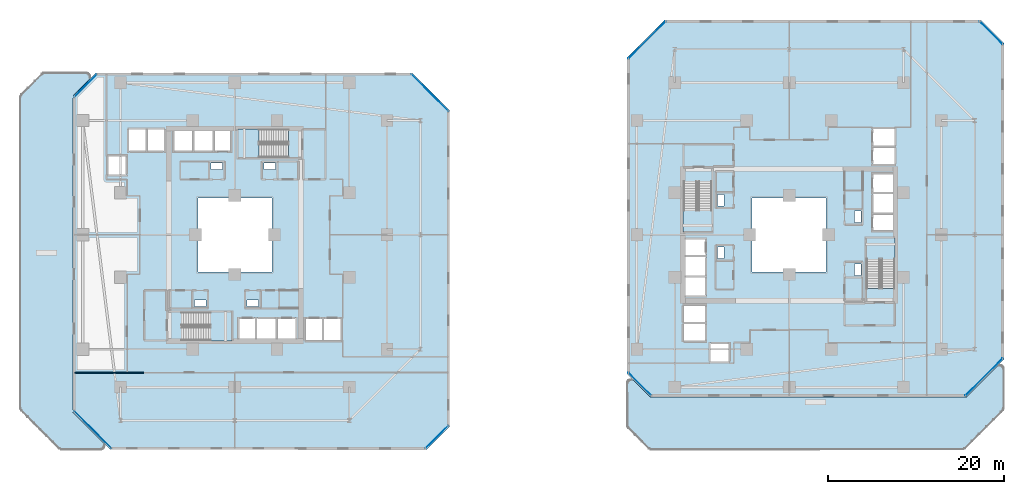
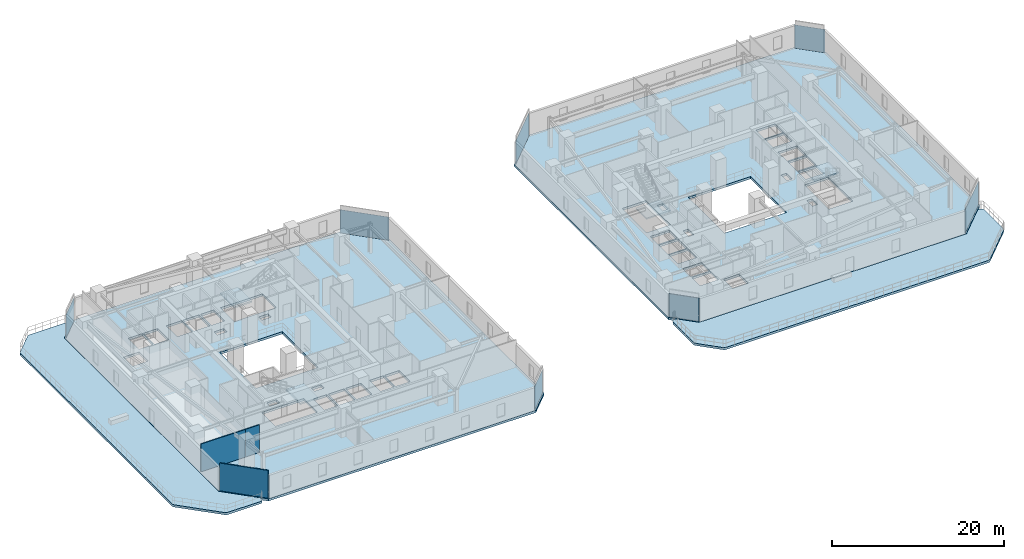
# One storey, part 18 of 33: 8 plates, 8 slabs, 3 walls, 12 elements without a shape of their own.
"""IFC4 building model written with IfcOpenShell, lengths in metres."""

from ifc_helpers import new_model, si_unit, direction, frame, frame_2d, origin, origin_2d, place, context, subcontext, project, spatial, polyline, rectangle, outline, extrude, material, layer, layer_set, type_object, element, aggregate, save


model = new_model("IFC4")

# Units and contexts
model_context = context("Model", 3, precision=1e-05, world=origin(), true_north=direction((0.0, 1.0)))
body_context = subcontext(model_context, "Body", "Model", "MODEL_VIEW")
ifc_project = project(units=[si_unit("LENGTHUNIT", "METRE"), si_unit("AREAUNIT", "SQUARE_METRE"), si_unit("VOLUMEUNIT", "CUBIC_METRE"), si_unit("PLANEANGLEUNIT", "RADIAN"), si_unit("MASSUNIT", "GRAM", prefix="KILO")], contexts=[model_context])

# Site, building, storey
site_placement = place(None, origin())
site = spatial("IfcSite", under=ifc_project, at=site_placement, CompositionType="ELEMENT")
building_placement = place(site_placement, origin())
building = spatial("IfcBuilding", under=site, at=building_placement, Name="Thornwick Lancets Civic Towers", CompositionType="ELEMENT")
storey_placement = place(building_placement, frame((0.0, 0.0, 49.5)))
storey = spatial("IfcBuildingStorey", under=building, at=storey_placement, Name="L12", CompositionType="ELEMENT", Elevation=49.5)

# Curtain wall, plate
ifc_material_1 = material(Name="Low-zone chamfered-corner unitised glass curtain wall", Category="glass")
curtain_wall_type = type_object("IfcCurtainWallType", Name="CW_SYS_03", PredefinedType="NOTDEFINED", material=ifc_material_1)
curtain_wall_1_placement = place(storey_placement, origin())
curtain_wall_1 = element("IfcCurtainWall", 1, at=curtain_wall_1_placement, inside=storey, type_object=curtain_wall_type, Name="L12 Curtain Wall CW-L12-A-E1", PredefinedType="NOTDEFINED")
ifc_material_2 = material(Name="Low-e double glazing clear glass", Category="glass")
ifc_layer_1 = layer(ifc_material_2, 0.035888671875, Name="Low-e double glazing clear glass")
ifc_layer_set_1 = layer_set([ifc_layer_1], Name="Low-e double glazing clear glass")
plate_type = type_object("IfcPlateType", Name="CW_PNL_GLASS", PredefinedType="CURTAIN_PANEL", material=ifc_layer_set_1)
plate_1_placement = place(storey_placement, frame((48.472900390625, 4.027099609375, 0.0), z_axis=(0.0, 0.0, 1.0), x_axis=(0.707106781187, 0.707106781187, 0.0)))
plate_1 = element("IfcPlate", 2, at=plate_1_placement, type_object=plate_type, Name="CW-L12-A-E1 Panel 0", PredefinedType="CURTAIN_PANEL", context=body_context, shape_type="SweptSolid", body=[
    extrude(rectangle(XDim=3.64990234375, YDim=0.035888671875, at=origin_2d()), origin(), (0.0, 0.0, 1.0), 3.300048828125),
])
aggregate(curtain_wall_1, [plate_1])

curtain_wall_2_placement = place(storey_placement, origin())
curtain_wall_2 = element("IfcCurtainWall", 3, at=curtain_wall_2_placement, inside=storey, type_object=curtain_wall_type, Name="L12 Curtain Wall CW-L12-A-E3", PredefinedType="NOTDEFINED")
plate_2_placement = place(storey_placement, frame((47.655517578125, 43.155517578125, 0.0), z_axis=(0.0, 0.0, 1.0), x_axis=(-0.707106781187, 0.707106781187, 0.0)))
plate_2 = element("IfcPlate", 4, at=plate_2_placement, type_object=plate_type, Name="CW-L12-A-E3 Panel 0", PredefinedType="CURTAIN_PANEL", context=body_context, shape_type="SweptSolid", body=[
    extrude(rectangle(XDim=5.947265625, YDim=0.035888671875, at=origin_2d()), origin(), (0.0, 0.0, 1.0), 3.300048828125),
])
aggregate(curtain_wall_2, [plate_2])

curtain_wall_3_placement = place(storey_placement, origin())
curtain_wall_3 = element("IfcCurtainWall", 5, at=curtain_wall_3_placement, inside=storey, type_object=curtain_wall_type, Name="L12 Curtain Wall CW-L12-A-E5", PredefinedType="NOTDEFINED")
plate_3_placement = place(storey_placement, frame((8.527099609375, 43.972900390625, 0.0), z_axis=(0.0, 0.0, 1.0), x_axis=(-0.707106781187, -0.707106781187, 0.0)))
plate_3 = element("IfcPlate", 6, at=plate_3_placement, type_object=plate_type, Name="CW-L12-A-E5 Panel 0", PredefinedType="CURTAIN_PANEL", context=body_context, shape_type="SweptSolid", body=[
    extrude(rectangle(XDim=3.64990234375, YDim=0.035888671875, at=origin_2d()), origin(), (0.0, 0.0, 1.0), 3.300048828125),
])
aggregate(curtain_wall_3, [plate_3])

curtain_wall_4_placement = place(storey_placement, origin())
curtain_wall_4 = element("IfcCurtainWall", 7, at=curtain_wall_4_placement, inside=storey, type_object=curtain_wall_type, Name="L12 Curtain Wall CW-L12-A-E7", PredefinedType="NOTDEFINED")
plate_4_placement = place(storey_placement, frame((9.344482421875, 4.844482421875, 0.0), z_axis=(0.0, 0.0, 1.0), x_axis=(0.707106781187, -0.707106781187, 0.0)))
plate_4 = element("IfcPlate", 8, at=plate_4_placement, type_object=plate_type, Name="CW-L12-A-E7 Panel 0", PredefinedType="CURTAIN_PANEL", context=body_context, shape_type="SweptSolid", body=[
    extrude(rectangle(XDim=5.947265625, YDim=0.035888671875, at=origin_2d()), origin(), (0.0, 0.0, 1.0), 3.300048828125),
])
aggregate(curtain_wall_4, [plate_4])

curtain_wall_5_placement = place(storey_placement, origin())
curtain_wall_5 = element("IfcCurtainWall", 9, at=curtain_wall_5_placement, inside=storey, type_object=curtain_wall_type, Name="L12 Curtain Wall CW-L12-B-E1", PredefinedType="NOTDEFINED")
plate_5_placement = place(storey_placement, frame((110.655517578125, 10.844482421875, 0.0), z_axis=(0.0, 0.0, 1.0), x_axis=(0.707106781187, 0.707106781187, 0.0)))
plate_5 = element("IfcPlate", 10, at=plate_5_placement, type_object=plate_type, Name="CW-L12-B-E1 Panel 0", PredefinedType="CURTAIN_PANEL", context=body_context, shape_type="SweptSolid", body=[
    extrude(rectangle(XDim=5.947265625, YDim=0.035888671875, at=origin_2d()), origin(), (0.0, 0.0, 1.0), 3.300048828125),
])
aggregate(curtain_wall_5, [plate_5])

curtain_wall_6_placement = place(storey_placement, origin())
curtain_wall_6 = element("IfcCurtainWall", 11, at=curtain_wall_6_placement, inside=storey, type_object=curtain_wall_type, Name="L12 Curtain Wall CW-L12-B-E3", PredefinedType="NOTDEFINED")
plate_6_placement = place(storey_placement, frame((111.472900390625, 49.972900390625, 0.0), z_axis=(0.0, 0.0, 1.0), x_axis=(-0.707106781187, 0.707106781187, 0.0)))
plate_6 = element("IfcPlate", 12, at=plate_6_placement, type_object=plate_type, Name="CW-L12-B-E3 Panel 0", PredefinedType="CURTAIN_PANEL", context=body_context, shape_type="SweptSolid", body=[
    extrude(rectangle(XDim=3.64990234375, YDim=0.035888671875, at=origin_2d()), origin(), (0.0, 0.0, 1.0), 3.300048828125),
])
aggregate(curtain_wall_6, [plate_6])

curtain_wall_7_placement = place(storey_placement, origin())
curtain_wall_7 = element("IfcCurtainWall", 13, at=curtain_wall_7_placement, inside=storey, type_object=curtain_wall_type, Name="L12 Curtain Wall CW-L12-B-E5", PredefinedType="NOTDEFINED")
plate_7_placement = place(storey_placement, frame((72.344482421875, 49.155517578125, 0.0), z_axis=(0.0, 0.0, 1.0), x_axis=(-0.707106781187, -0.707106781187, 0.0)))
plate_7 = element("IfcPlate", 14, at=plate_7_placement, type_object=plate_type, Name="CW-L12-B-E5 Panel 0", PredefinedType="CURTAIN_PANEL", context=body_context, shape_type="SweptSolid", body=[
    extrude(rectangle(XDim=5.947265625, YDim=0.035888671875, at=origin_2d()), origin(), (0.0, 0.0, 1.0), 3.300048828125),
])
aggregate(curtain_wall_7, [plate_7])

curtain_wall_8_placement = place(storey_placement, origin())
curtain_wall_8 = element("IfcCurtainWall", 15, at=curtain_wall_8_placement, inside=storey, type_object=curtain_wall_type, Name="L12 Curtain Wall CW-L12-B-E7", PredefinedType="NOTDEFINED")
plate_8_placement = place(storey_placement, frame((71.527099609375, 10.027099609375, 0.0), z_axis=(0.0, 0.0, 1.0), x_axis=(0.707106781187, -0.707106781187, 0.0)))
plate_8 = element("IfcPlate", 16, at=plate_8_placement, type_object=plate_type, Name="CW-L12-B-E7 Panel 0", PredefinedType="CURTAIN_PANEL", context=body_context, shape_type="SweptSolid", body=[
    extrude(rectangle(XDim=3.64990234375, YDim=0.035888671875, at=origin_2d()), origin(), (0.0, 0.0, 1.0), 3.300048828125),
])
aggregate(curtain_wall_8, [plate_8])

# Stair, slab
ifc_material_3 = material(Name="Concrete C40/50", Category="concrete")
stair_type = type_object("IfcStairType", Name="STAIR_DL_4200", PredefinedType="HALF_TURN_STAIR", material=ifc_material_3)
stair_1_placement = place(storey_placement, origin())
stair_1 = element("IfcStair", 17, at=stair_1_placement, inside=storey, type_object=stair_type, Name="L12 Tower A South Exit Stair ST-A1", PredefinedType="HALF_TURN_STAIR")
ifc_layer_2 = layer(ifc_material_3, 0.25, Name="Concrete C40/50")
ifc_layer_set_2 = layer_set([ifc_layer_2], Name="Concrete C40/50")
slab_type_1 = type_object("IfcSlabType", Name="SLAB_LANDING_200", PredefinedType="LANDING", material=ifc_layer_set_2)
slab_1_placement = place(storey_placement, frame((0.0, 0.0, 1.903076171875)))
slab_1 = element("IfcSlab", 18, at=slab_1_placement, type_object=slab_type_1, Name="ST-A1 landing 1", PredefinedType="LANDING", context=body_context, shape_type="SweptSolid", body=[
    extrude(outline(polyline([(22.72998046875, 14.93994140625), (25.14990234375, 14.93994140625), (25.14990234375, 18.260009765625), (22.72998046875, 18.260009765625), (22.72998046875, 14.93994140625)])), origin(), (0.0, 0.0, 1.0), 0.199951171875),
])
aggregate(stair_1, [slab_1])

stair_2_placement = place(storey_placement, origin())
stair_2 = element("IfcStair", 19, at=stair_2_placement, inside=storey, type_object=stair_type, Name="L12 Tower A North Exit Stair ST-A2", PredefinedType="HALF_TURN_STAIR")
slab_2_placement = place(storey_placement, frame((0.0, 0.0, 1.903076171875)))
slab_2 = element("IfcSlab", 20, at=slab_2_placement, type_object=slab_type_1, Name="ST-A2 landing 1", PredefinedType="LANDING", context=body_context, shape_type="SweptSolid", body=[
    extrude(outline(polyline([(28.27001953125, 39.06005859375), (25.85009765625, 39.06005859375), (25.85009765625, 35.739990234375), (28.27001953125, 35.739990234375), (28.27001953125, 39.06005859375)])), origin(), (0.0, 0.0, 1.0), 0.199951171875),
])
aggregate(stair_2, [slab_2])

stair_3_placement = place(storey_placement, origin())
stair_3 = element("IfcStair", 21, at=stair_3_placement, inside=storey, type_object=stair_type, Name="L12 Tower B East Exit Stair ST-B1", PredefinedType="HALF_TURN_STAIR")
slab_3_placement = place(storey_placement, frame((0.0, 0.0, 1.903076171875)))
slab_3 = element("IfcSlab", 22, at=slab_3_placement, type_object=slab_type_1, Name="ST-B1 landing 1", PredefinedType="LANDING", context=body_context, shape_type="SweptSolid", body=[
    extrude(outline(polyline([(100.56005859375, 24.22998046875), (100.56005859375, 26.64990234375), (97.239990234375, 26.64990234375), (97.239990234375, 24.22998046875), (100.56005859375, 24.22998046875)])), origin(), (0.0, 0.0, 1.0), 0.199951171875),
])
aggregate(stair_3, [slab_3])

stair_4_placement = place(storey_placement, origin())
stair_4 = element("IfcStair", 23, at=stair_4_placement, inside=storey, type_object=stair_type, Name="L12 Tower B West Exit Stair ST-B2", PredefinedType="HALF_TURN_STAIR")
slab_4_placement = place(storey_placement, frame((0.0, 0.0, 1.903076171875)))
slab_4 = element("IfcSlab", 24, at=slab_4_placement, type_object=slab_type_1, Name="ST-B2 landing 1", PredefinedType="LANDING", context=body_context, shape_type="SweptSolid", body=[
    extrude(outline(polyline([(76.43994140625, 29.77001953125), (76.43994140625, 27.35009765625), (79.760009765625, 27.35009765625), (79.760009765625, 29.77001953125), (76.43994140625, 29.77001953125)])), origin(), (0.0, 0.0, 1.0), 0.199951171875),
])
aggregate(stair_4, [slab_4])

# Slabs
ifc_material_4 = material(Name="Post-tensioned concrete C40/50", Category="concrete")
ifc_layer_3 = layer(ifc_material_4, 0.320068359375, Name="Post-tensioned concrete C40/50")
ifc_layer_set_3 = layer_set([ifc_layer_3], Name="Post-tensioned concrete C40/50")
slab_type_2 = type_object("IfcSlabType", Name="SLAB_PT_320", PredefinedType="FLOOR", material=ifc_layer_set_3)
slab_5_placement = place(storey_placement, frame((0.0, 0.0, -0.320068359375)))
element("IfcSlab", 25, at=slab_5_placement, inside=storey, type_object=slab_type_2, Name="L12 Tower A Floor Slab", PredefinedType="FLOOR", context=body_context, shape_type="SweptSolid", body=[
    extrude(outline(polyline([(11.3359375, 2.60009765625), (47.300048828125, 2.60009765625), (49.89990234375, 5.199951171875), (49.89990234375, 41.1640625), (45.6640625, 45.39990234375), (9.699951171875, 45.39990234375), (7.10009765625, 42.800048828125), (7.10009765625, 6.8359375), (11.3359375, 2.60009765625)]), holes=[polyline([(21.300048828125, 22.800048828125), (29.699951171875, 22.800048828125), (29.699951171875, 31.199951171875), (21.300048828125, 31.199951171875), (21.300048828125, 22.800048828125)]), polyline([(19.429931640625, 15.0), (25.10009765625, 15.0), (25.10009765625, 18.199951171875), (19.429931640625, 18.199951171875), (19.429931640625, 15.0)]), polyline([(31.570068359375, 39.0), (25.89990234375, 39.0), (25.89990234375, 35.800048828125), (31.570068359375, 35.800048828125), (31.570068359375, 39.0)]), polyline([(26.0, 15.0), (27.800048828125, 15.0), (27.800048828125, 17.550048828125), (26.0, 17.550048828125), (26.0, 15.0)]), polyline([(28.0, 15.0), (30.14990234375, 15.0), (30.14990234375, 17.550048828125), (28.0, 17.550048828125), (28.0, 15.0)]), polyline([(30.35009765625, 15.0), (32.39990234375, 15.0), (32.39990234375, 17.550048828125), (30.35009765625, 17.550048828125), (30.35009765625, 15.0)]), polyline([(33.550048828125, 15.0), (35.449951171875, 15.0), (35.449951171875, 17.550048828125), (33.550048828125, 17.550048828125), (33.550048828125, 15.0)]), polyline([(35.60009765625, 15.0), (37.550048828125, 15.0), (37.550048828125, 17.550048828125), (35.60009765625, 17.550048828125), (35.60009765625, 15.0)]), polyline([(23.199951171875, 36.449951171875), (25.0, 36.449951171875), (25.0, 39.0), (23.199951171875, 39.0), (23.199951171875, 36.449951171875)]), polyline([(20.85009765625, 36.449951171875), (23.0, 36.449951171875), (23.0, 39.0), (20.85009765625, 39.0), (20.85009765625, 36.449951171875)]), polyline([(18.60009765625, 36.449951171875), (20.699951171875, 36.449951171875), (20.699951171875, 39.0), (18.60009765625, 39.0), (18.60009765625, 36.449951171875)]), polyline([(15.550048828125, 36.449951171875), (17.449951171875, 36.449951171875), (17.449951171875, 39.0), (15.550048828125, 39.0), (15.550048828125, 36.449951171875)]), polyline([(13.449951171875, 36.449951171875), (15.39990234375, 36.449951171875), (15.39990234375, 39.0), (13.449951171875, 39.0), (13.449951171875, 36.449951171875)]), polyline([(11.10009765625, 33.85009765625), (13.199951171875, 33.85009765625), (13.199951171875, 35.949951171875), (11.10009765625, 35.949951171875), (11.10009765625, 33.85009765625)]), polyline([(26.89990234375, 18.85009765625), (28.199951171875, 18.85009765625), (28.199951171875, 19.580078125), (26.89990234375, 19.580078125), (26.89990234375, 18.85009765625)]), polyline([(20.89990234375, 18.85009765625), (22.199951171875, 18.85009765625), (22.199951171875, 19.580078125), (20.89990234375, 19.580078125), (20.89990234375, 18.85009765625)]), polyline([(22.800048828125, 34.419921875), (24.10009765625, 34.419921875), (24.10009765625, 35.14990234375), (22.800048828125, 35.14990234375), (22.800048828125, 34.419921875)]), polyline([(28.800048828125, 34.419921875), (30.10009765625, 34.419921875), (30.10009765625, 35.14990234375), (28.800048828125, 35.14990234375), (28.800048828125, 34.419921875)])]), origin(), (0.0, 0.0, 1.0), 0.320068359375),
])
slab_6_placement = place(storey_placement, frame((0.0, 0.0, -0.320068359375)))
element("IfcSlab", 26, at=slab_6_placement, inside=storey, type_object=slab_type_2, Name="L12 Tower A Cantilevered Block Sky-Garden Terrace 1", PredefinedType="FLOOR", context=body_context, shape_type="SweptSolid", body=[
    extrude(outline(polyline([(5.806396484375, 2.602294921875), (5.7626953125, 2.608642578125), (5.7197265625, 2.619384765625), (5.67822265625, 2.63427734375), (5.63818359375, 2.653076171875), (5.600341796875, 2.67578125), (5.56494140625, 2.7021484375), (5.5322265625, 2.731689453125), (1.231689453125, 7.0322265625), (1.2021484375, 7.06494140625), (1.17578125, 7.100341796875), (1.153076171875, 7.13818359375), (1.13427734375, 7.17822265625), (1.119384765625, 7.2197265625), (1.108642578125, 7.2626953125), (1.102294921875, 7.306396484375), (1.10009765625, 7.350341796875), (1.10009765625, 42.613525390625), (1.102294921875, 42.65771484375), (1.108642578125, 42.701416015625), (1.119384765625, 42.744140625), (1.13427734375, 42.785888671875), (1.153076171875, 42.82568359375), (1.17578125, 42.863525390625), (1.2021484375, 42.899169921875), (1.231689453125, 42.931884765625), (3.146240234375, 44.84619140625), (3.568115234375, 45.268310546875), (3.600830078125, 45.2978515625), (3.636474609375, 45.32421875), (3.67431640625, 45.346923828125), (3.714111328125, 45.36572265625), (3.755859375, 45.380615234375), (3.798583984375, 45.391357421875), (3.84228515625, 45.397705078125), (3.886474609375, 45.39990234375), (8.585205078125, 45.39990234375), (8.62939453125, 45.397705078125), (8.673095703125, 45.391357421875), (8.7158203125, 45.380615234375), (8.757568359375, 45.36572265625), (8.79736328125, 45.346923828125), (8.835205078125, 45.32421875), (8.870849609375, 45.2978515625), (8.903564453125, 45.268310546875), (8.93310546875, 45.235595703125), (8.95947265625, 45.199951171875), (8.982177734375, 45.162109375), (9.001220703125, 45.122314453125), (9.015869140625, 45.08056640625), (9.026611328125, 45.037841796875), (9.033203125, 44.994140625), (9.035400390625, 44.949951171875), (9.033203125, 44.906005859375), (9.026611328125, 44.8623046875), (9.015869140625, 44.8193359375), (9.001220703125, 44.77783203125), (8.982177734375, 44.73779296875), (8.95947265625, 44.699951171875), (8.93310546875, 44.66455078125), (8.903564453125, 44.6318359375), (8.60400390625, 44.332275390625), (7.08984375, 42.818115234375), (7.0859375, 42.814208984375), (7.08447265625, 42.812744140625), (7.08349609375, 42.81103515625), (7.08251953125, 42.809326171875), (7.08154296875, 42.8076171875), (7.080810546875, 42.805908203125), (7.080322265625, 42.803955078125), (7.080078125, 42.802001953125), (7.080078125, 42.800048828125), (7.080078125, 42.7939453125), (7.080078125, 6.841552734375), (7.080078125, 6.8359375), (7.080078125, 6.833984375), (7.080322265625, 6.83203125), (7.080810546875, 6.830078125), (7.08154296875, 6.828369140625), (7.08251953125, 6.82666015625), (7.08349609375, 6.824951171875), (7.08447265625, 6.8232421875), (7.0859375, 6.822021484375), (7.090087890625, 6.817626953125), (10.53955078125, 3.3681640625), (10.569091796875, 3.33544921875), (10.595458984375, 3.300048828125), (10.6181640625, 3.26220703125), (10.63720703125, 3.22216796875), (10.65185546875, 3.1806640625), (10.66259765625, 3.1376953125), (10.669189453125, 3.093994140625), (10.67138671875, 3.050048828125), (10.669189453125, 3.005859375), (10.66259765625, 2.962158203125), (10.65185546875, 2.91943359375), (10.63720703125, 2.877685546875), (10.6181640625, 2.837890625), (10.595458984375, 2.800048828125), (10.569091796875, 2.764404296875), (10.53955078125, 2.731689453125), (10.5068359375, 2.7021484375), (10.47119140625, 2.67578125), (10.433349609375, 2.653076171875), (10.3935546875, 2.63427734375), (10.351806640625, 2.619384765625), (10.30908203125, 2.608642578125), (10.265380859375, 2.602294921875), (10.22119140625, 2.60009765625), (5.850341796875, 2.60009765625), (5.806396484375, 2.602294921875)])), origin(), (0.0, 0.0, 1.0), 0.320068359375),
])
slab_7_placement = place(storey_placement, frame((0.0, 0.0, -0.320068359375)))
element("IfcSlab", 27, at=slab_7_placement, inside=storey, type_object=slab_type_2, Name="L12 Tower B Floor Slab", PredefinedType="FLOOR", context=body_context, shape_type="SweptSolid", body=[
    extrude(outline(polyline([(72.699951171875, 8.60009765625), (108.6640625, 8.60009765625), (112.89990234375, 12.8359375), (112.89990234375, 48.800048828125), (110.300048828125, 51.39990234375), (74.3359375, 51.39990234375), (70.10009765625, 47.1640625), (70.10009765625, 11.199951171875), (72.699951171875, 8.60009765625)]), holes=[polyline([(84.300048828125, 22.800048828125), (92.699951171875, 22.800048828125), (92.699951171875, 31.199951171875), (84.300048828125, 31.199951171875), (84.300048828125, 22.800048828125)]), polyline([(100.5, 20.929931640625), (100.5, 26.60009765625), (97.300048828125, 26.60009765625), (97.300048828125, 20.929931640625), (100.5, 20.929931640625)]), polyline([(76.5, 33.070068359375), (76.5, 27.39990234375), (79.699951171875, 27.39990234375), (79.699951171875, 33.070068359375), (76.5, 33.070068359375)]), polyline([(97.949951171875, 27.5), (100.5, 27.5), (100.5, 29.300048828125), (97.949951171875, 29.300048828125), (97.949951171875, 27.5)]), polyline([(97.949951171875, 29.5), (100.5, 29.5), (100.5, 31.64990234375), (97.949951171875, 31.64990234375), (97.949951171875, 29.5)]), polyline([(97.949951171875, 31.85009765625), (100.5, 31.85009765625), (100.5, 33.89990234375), (97.949951171875, 33.89990234375), (97.949951171875, 31.85009765625)]), polyline([(97.949951171875, 35.050048828125), (100.5, 35.050048828125), (100.5, 36.949951171875), (97.949951171875, 36.949951171875), (97.949951171875, 35.050048828125)]), polyline([(97.949951171875, 37.10009765625), (100.5, 37.10009765625), (100.5, 39.050048828125), (97.949951171875, 39.050048828125), (97.949951171875, 37.10009765625)]), polyline([(76.5, 24.699951171875), (79.050048828125, 24.699951171875), (79.050048828125, 26.5), (76.5, 26.5), (76.5, 24.699951171875)]), polyline([(76.5, 22.35009765625), (79.050048828125, 22.35009765625), (79.050048828125, 24.5), (76.5, 24.5), (76.5, 22.35009765625)]), polyline([(76.5, 20.10009765625), (79.050048828125, 20.10009765625), (79.050048828125, 22.199951171875), (76.5, 22.199951171875), (76.5, 20.10009765625)]), polyline([(76.5, 17.050048828125), (79.050048828125, 17.050048828125), (79.050048828125, 18.949951171875), (76.5, 18.949951171875), (76.5, 17.050048828125)]), polyline([(76.5, 14.949951171875), (79.050048828125, 14.949951171875), (79.050048828125, 16.89990234375), (76.5, 16.89990234375), (76.5, 14.949951171875)]), polyline([(79.550048828125, 12.60009765625), (81.64990234375, 12.60009765625), (81.64990234375, 14.699951171875), (79.550048828125, 14.699951171875), (79.550048828125, 12.60009765625)]), polyline([(95.919921875, 28.39990234375), (96.64990234375, 28.39990234375), (96.64990234375, 29.699951171875), (95.919921875, 29.699951171875), (95.919921875, 28.39990234375)]), polyline([(95.919921875, 22.39990234375), (96.64990234375, 22.39990234375), (96.64990234375, 23.699951171875), (95.919921875, 23.699951171875), (95.919921875, 22.39990234375)]), polyline([(80.35009765625, 24.300048828125), (81.080078125, 24.300048828125), (81.080078125, 25.60009765625), (80.35009765625, 25.60009765625), (80.35009765625, 24.300048828125)]), polyline([(80.35009765625, 30.300048828125), (81.080078125, 30.300048828125), (81.080078125, 31.60009765625), (80.35009765625, 31.60009765625), (80.35009765625, 30.300048828125)])]), origin(), (0.0, 0.0, 1.0), 0.320068359375),
])
slab_8_placement = place(storey_placement, frame((0.0, 0.0, -0.320068359375)))
element("IfcSlab", 28, at=slab_8_placement, inside=storey, type_object=slab_type_2, Name="L12 Tower B Cantilevered Block Sky-Garden Terrace 1", PredefinedType="FLOOR", context=body_context, shape_type="SweptSolid", body=[
    extrude(outline(polyline([(112.897705078125, 7.306396484375), (112.891357421875, 7.2626953125), (112.880615234375, 7.2197265625), (112.86572265625, 7.17822265625), (112.846923828125, 7.13818359375), (112.82421875, 7.100341796875), (112.7978515625, 7.06494140625), (112.768310546875, 7.0322265625), (112.592041015625, 6.85595703125), (108.4677734375, 2.731689453125), (108.43505859375, 2.7021484375), (108.399658203125, 2.67578125), (108.36181640625, 2.653076171875), (108.32177734375, 2.63427734375), (108.2802734375, 2.619384765625), (108.2373046875, 2.608642578125), (108.193603515625, 2.602294921875), (108.149658203125, 2.60009765625), (72.886474609375, 2.60009765625), (72.84228515625, 2.602294921875), (72.798583984375, 2.608642578125), (72.755859375, 2.619384765625), (72.714111328125, 2.63427734375), (72.67431640625, 2.653076171875), (72.636474609375, 2.67578125), (72.600830078125, 2.7021484375), (72.568115234375, 2.731689453125), (70.42041015625, 4.87939453125), (70.231689453125, 5.068115234375), (70.2021484375, 5.100830078125), (70.17578125, 5.136474609375), (70.153076171875, 5.17431640625), (70.13427734375, 5.214111328125), (70.119384765625, 5.255859375), (70.108642578125, 5.298583984375), (70.102294921875, 5.34228515625), (70.10009765625, 5.386474609375), (70.10009765625, 10.085205078125), (70.102294921875, 10.12939453125), (70.108642578125, 10.173095703125), (70.119384765625, 10.2158203125), (70.13427734375, 10.257568359375), (70.153076171875, 10.29736328125), (70.17578125, 10.335205078125), (70.2021484375, 10.370849609375), (70.231689453125, 10.403564453125), (70.264404296875, 10.43310546875), (70.300048828125, 10.45947265625), (70.337890625, 10.482177734375), (70.377685546875, 10.501220703125), (70.41943359375, 10.515869140625), (70.462158203125, 10.526611328125), (70.505859375, 10.533203125), (70.550048828125, 10.535400390625), (70.593994140625, 10.533203125), (70.6376953125, 10.526611328125), (70.6806640625, 10.515869140625), (70.72216796875, 10.501220703125), (70.76220703125, 10.482177734375), (70.800048828125, 10.45947265625), (70.83544921875, 10.43310546875), (70.8681640625, 10.403564453125), (71.22119140625, 10.05029296875), (72.681884765625, 8.58984375), (72.685791015625, 8.5859375), (72.687255859375, 8.58447265625), (72.68896484375, 8.58349609375), (72.690673828125, 8.58251953125), (72.6923828125, 8.58154296875), (72.694091796875, 8.580810546875), (72.696044921875, 8.580322265625), (72.697998046875, 8.580078125), (72.699951171875, 8.580078125), (72.7060546875, 8.580078125), (108.658447265625, 8.580078125), (108.6640625, 8.580078125), (108.666015625, 8.580078125), (108.66796875, 8.580322265625), (108.669921875, 8.580810546875), (108.671630859375, 8.58154296875), (108.67333984375, 8.58251953125), (108.675048828125, 8.58349609375), (108.6767578125, 8.58447265625), (108.677978515625, 8.5859375), (108.682373046875, 8.590087890625), (111.84423828125, 11.751953125), (112.1318359375, 12.03955078125), (112.16455078125, 12.069091796875), (112.199951171875, 12.095458984375), (112.23779296875, 12.1181640625), (112.27783203125, 12.13720703125), (112.3193359375, 12.15185546875), (112.3623046875, 12.16259765625), (112.406005859375, 12.169189453125), (112.449951171875, 12.17138671875), (112.494140625, 12.169189453125), (112.537841796875, 12.16259765625), (112.58056640625, 12.15185546875), (112.622314453125, 12.13720703125), (112.662109375, 12.1181640625), (112.699951171875, 12.095458984375), (112.735595703125, 12.069091796875), (112.768310546875, 12.03955078125), (112.7978515625, 12.0068359375), (112.82421875, 11.97119140625), (112.846923828125, 11.933349609375), (112.86572265625, 11.8935546875), (112.880615234375, 11.851806640625), (112.891357421875, 11.80908203125), (112.897705078125, 11.765380859375), (112.89990234375, 11.72119140625), (112.89990234375, 7.350341796875), (112.897705078125, 7.306396484375)])), origin(), (0.0, 0.0, 1.0), 0.320068359375),
])

# Walls
ifc_material_5 = material(Name="Acoustic gypsum board partition")
ifc_layer_4 = layer(ifc_material_5, 0.1201171875, Name="Acoustic gypsum board partition")
ifc_layer_set_4 = layer_set([ifc_layer_4], Name="Acoustic gypsum board partition")
wall_type = type_object("IfcWallType", Name="WALL_PART_120", PredefinedType="PARTITIONING", material=ifc_layer_set_4)
wall_1_placement = place(storey_placement, frame((13.25, 11.35009765625, 0.0), z_axis=(0.0, 0.0, 1.0), x_axis=(-1.0, 0.0, 0.0)))
element("IfcWall", 29, at=wall_1_placement, inside=storey, type_object=wall_type, Name="L12 Partition L12-A-W1 E5", PredefinedType="PARTITIONING", context=body_context, shape_type="SweptSolid", body=[
    extrude(rectangle(XDim=5.969970703125, YDim=0.1201171875, at=frame_2d((2.98486328125, 0.0))), origin(), (0.0, 0.0, 1.0), 3.93994140625),
])
wall_2_placement = place(storey_placement, frame((13.25, 11.35009765625, 0.0), z_axis=(0.0, 0.0, 1.0), x_axis=(1.0, 0.0, 0.0)))
element("IfcWall", 30, at=wall_2_placement, inside=storey, type_object=wall_type, Name="L12 Partition L12-A-S-OFF E1", PredefinedType="PARTITIONING", context=body_context, shape_type="SweptSolid", body=[
    extrude(rectangle(XDim=1.89990234375, YDim=0.1201171875, at=frame_2d((0.949951171875, 0.0))), origin(), (0.0, 0.0, 1.0), 3.93994140625),
])
wall_3_placement = place(storey_placement, frame((11.41064453125, 2.780029296875, 0.0), z_axis=(0.0, 0.0, 1.0), x_axis=(-0.707106781187, 0.707106781187, 0.0)))
element("IfcWall", 31, at=wall_3_placement, inside=storey, type_object=wall_type, Name="L12 Partition L12-A-S-OFF E5", PredefinedType="PARTITIONING", context=body_context, shape_type="SweptSolid", body=[
    extrude(rectangle(XDim=5.841552734375, YDim=0.1201171875, at=frame_2d((2.9208984375, 0.0))), origin(), (0.0, 0.0, 1.0), 3.93994140625),
])

save(model, "model.ifc")
